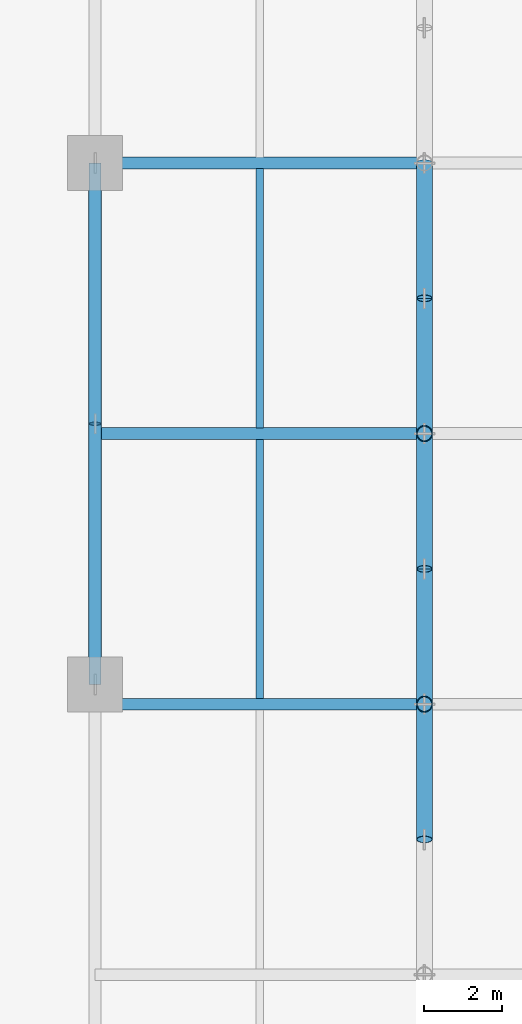
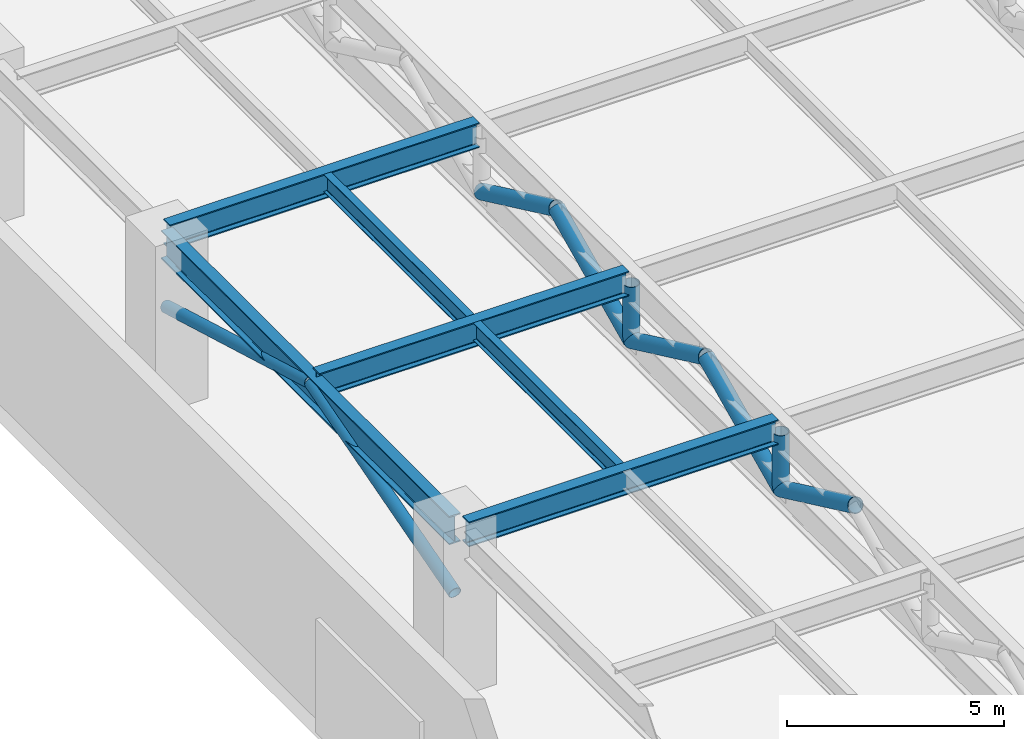
# One storey, part 8 of 40: 9 members, 6 beams.
"""IFC4 building model written with IfcOpenShell, lengths in metres."""

from ifc_helpers import new_model, si_unit, direction, frame, origin, origin_2d, place, context, subcontext, project, spatial, hollow_circle, i_section, extrude, material, material_profile, profile_set, type_object, element, save


model = new_model("IFC4")

# Units and contexts
model_context = context("Model", 3, precision=1e-05, world=origin(), true_north=direction((0.0, 1.0)))
body_context = subcontext(model_context, "Body", "Model", "MODEL_VIEW")
ifc_project = project(units=[si_unit("LENGTHUNIT", "METRE"), si_unit("AREAUNIT", "SQUARE_METRE"), si_unit("VOLUMEUNIT", "CUBIC_METRE"), si_unit("PLANEANGLEUNIT", "RADIAN"), si_unit("MASSUNIT", "GRAM", prefix="KILO")], contexts=[model_context])

# Site, building, storey
site_placement = place(None, origin())
site = spatial("IfcSite", under=ifc_project, at=site_placement, CompositionType="ELEMENT")
building_placement = place(site_placement, origin())
building = spatial("IfcBuilding", under=site, at=building_placement, Name="Narakoshi Arena Tower", CompositionType="ELEMENT")
storey_placement = place(building_placement, frame((0.0, 0.0, 21.60009765625)))
storey = spatial("IfcBuildingStorey", under=building, at=storey_placement, Name="L05", CompositionType="ELEMENT", Elevation=21.60009765625)

# Beams
ifc_material_1 = material(Name="Structural steel S355J2", Category="steel")
ifc_material_profile_1 = material_profile(ifc_material_1, i_section(OverallWidth=0.300048828125, OverallDepth=0.699951171875, WebThickness=0.01708984375, FlangeThickness=0.031982421875, FilletRadius=0.027099609375, at=origin_2d()), Name="HE700B")
ifc_profile_set_1 = profile_set([ifc_material_profile_1], Name="Structural steel S355J2")
beam_type_1 = type_object("IfcBeamType", Name="BM-PRI-700", PredefinedType="BEAM", material=ifc_profile_set_1)
for number, where, z_axis, x_axis, name in (
    (1, (3.60009765625, 34.199951171875, 4.429931640625), (1.0, 0.0, 0.0), (0.0, 1.0, 0.0), "L05 Arena Roof Transverse Girder 2-3"),
    (2, (3.60009765625, 41.10009765625, 4.429931640625), (1.0, 0.0, 0.0), (0.0, 1.0, 0.0), "L05 Arena Roof Transverse Girder 3-3"),
    (3, (3.60009765625, 48.0, 4.429931640625), (1.0, 0.0, 0.0), (0.0, 1.0, 0.0), "L05 Arena Roof Transverse Girder 4-3"),
):
    element("IfcBeam", number, at=place(storey_placement, frame(where, z_axis=z_axis, x_axis=x_axis)), inside=storey, type_object=beam_type_1, Name=name, PredefinedType="BEAM", context=body_context, shape_type="SweptSolid", body=[
        extrude(i_section(OverallWidth=0.300048828125, OverallDepth=0.699951171875, WebThickness=0.01708984375, FlangeThickness=0.031982421875, FilletRadius=0.027099609375, at=origin_2d()), origin(), (0.0, 0.0, 1.0), 8.2548828125),
    ])
ifc_material_2 = material(Name="Structural steel S460ML", Category="steel")
ifc_material_profile_2 = material_profile(ifc_material_2, i_section(OverallWidth=0.300048828125, OverallDepth=0.800048828125, WebThickness=0.017578125, FlangeThickness=0.032958984375, FilletRadius=0.030029296875, at=origin_2d()), Name="HE800B")
ifc_profile_set_2 = profile_set([ifc_material_profile_2], Name="Structural steel S460ML")
beam_type_2 = type_object("IfcBeamType", Name="BM-PRI-800", PredefinedType="BEAM", material=ifc_profile_set_2)
beam_1_placement = place(storey_placement, frame((3.60009765625, 34.699951171875, 4.199951171875), z_axis=(0.0, 1.0, 0.0), x_axis=(-1.0, 0.0, 0.0)))
element("IfcBeam", 4, at=beam_1_placement, inside=storey, type_object=beam_type_2, Name="L05 Podium Primary Y-Girder 069", PredefinedType="BEAM", context=body_context, shape_type="SweptSolid", body=[
    extrude(i_section(OverallWidth=0.300048828125, OverallDepth=0.800048828125, WebThickness=0.017578125, FlangeThickness=0.032958984375, FilletRadius=0.030029296875, at=origin_2d()), origin(), (0.0, 0.0, 1.0), 13.300048828125),
])
ifc_material_profile_3 = material_profile(ifc_material_1, i_section(OverallWidth=0.199951171875, OverallDepth=0.5, WebThickness=0.01025390625, FlangeThickness=0.01611328125, FilletRadius=0.02099609375, at=origin_2d()), Name="IPE500")
ifc_profile_set_3 = profile_set([ifc_material_profile_3], Name="Structural steel S355J2")
beam_type_3 = type_object("IfcBeamType", Name="BM-SEC-500", PredefinedType="JOIST", material=ifc_profile_set_3)
beam_2_placement = place(storey_placement, frame((7.800048828125, 34.344970703125, 4.52978515625), z_axis=(0.0, 1.0, 0.0), x_axis=(-1.0, 0.0, 0.0)))
element("IfcBeam", 5, at=beam_2_placement, inside=storey, type_object=beam_type_3, Name="L05 Arena Roof Secondary Joist 3-3", PredefinedType="JOIST", context=body_context, shape_type="SweptSolid", body=[
    extrude(i_section(OverallWidth=0.199951171875, OverallDepth=0.5, WebThickness=0.01025390625, FlangeThickness=0.01611328125, FilletRadius=0.02099609375, at=origin_2d()), origin(), (0.0, 0.0, 1.0), 6.610107421875),
])
beam_3_placement = place(storey_placement, frame((7.800048828125, 41.2451171875, 4.52978515625), z_axis=(0.0, 1.0, 0.0), x_axis=(-1.0, 0.0, 0.0)))
element("IfcBeam", 6, at=beam_3_placement, inside=storey, type_object=beam_type_3, Name="L05 Arena Roof Secondary Joist 3-4", PredefinedType="JOIST", context=body_context, shape_type="SweptSolid", body=[
    extrude(i_section(OverallWidth=0.199951171875, OverallDepth=0.5, WebThickness=0.01025390625, FlangeThickness=0.01611328125, FilletRadius=0.02099609375, at=origin_2d()), origin(), (0.0, 0.0, 1.0), 6.60986328125),
])

# Members
ifc_material_profile_4 = material_profile(ifc_material_2, hollow_circle(Radius=0.203125, WallThickness=0.01611328125, at=origin_2d()), Name="CHS406x16")
ifc_profile_set_4 = profile_set([ifc_material_profile_4], Name="Structural steel S460ML")
member_type_1 = type_object("IfcMemberType", Name="MEM-ARN-406", PredefinedType="CHORD", material=ifc_profile_set_4)
member_1_placement = place(storey_placement, frame((12.0, 30.75, 4.324951171875), z_axis=(0.0, 0.904667753866, -0.426117654075), x_axis=(-1.0, 0.0, 0.0)))
element("IfcMember", 7, at=member_1_placement, inside=storey, type_object=member_type_1, Name="L05 Arena Roof Truss 1 Web Diagonal 2B", PredefinedType="CHORD", context=body_context, shape_type="SweptSolid", body=[
    extrude(hollow_circle(Radius=0.203125, WallThickness=0.01611328125, at=origin_2d()), origin(), (0.0, 0.0, 1.0), 3.8134765625),
])
member_2_placement = place(storey_placement, frame((12.0, 34.199951171875, 2.699951171875), z_axis=(0.0, 0.0, 1.0), x_axis=(1.0, 0.0, 0.0)))
element("IfcMember", 8, at=member_2_placement, inside=storey, type_object=member_type_1, Name="L05 Arena Roof Truss 1 Web Post 3", PredefinedType="CHORD", context=body_context, shape_type="SweptSolid", body=[
    extrude(hollow_circle(Radius=0.203125, WallThickness=0.01611328125, at=origin_2d()), origin(), (0.0, 0.0, 1.0), 1.625),
])
member_3_placement = place(storey_placement, frame((12.0, 34.199951171875, 2.699951171875), z_axis=(0.0, 0.904667753866, 0.426117654075), x_axis=(-1.0, 0.0, 0.0)))
element("IfcMember", 9, at=member_3_placement, inside=storey, type_object=member_type_1, Name="L05 Arena Roof Truss 1 Web Diagonal 3A", PredefinedType="CHORD", context=body_context, shape_type="SweptSolid", body=[
    extrude(hollow_circle(Radius=0.203125, WallThickness=0.01611328125, at=origin_2d()), origin(), (0.0, 0.0, 1.0), 3.8134765625),
])
member_4_placement = place(storey_placement, frame((12.0, 37.64990234375, 4.324951171875), z_axis=(0.0, 0.904679377383, -0.426092975931), x_axis=(-1.0, 0.0, 0.0)))
element("IfcMember", 10, at=member_4_placement, inside=storey, type_object=member_type_1, Name="L05 Arena Roof Truss 1 Web Diagonal 3B", PredefinedType="CHORD", context=body_context, shape_type="SweptSolid", body=[
    extrude(hollow_circle(Radius=0.203125, WallThickness=0.01611328125, at=origin_2d()), origin(), (0.0, 0.0, 1.0), 3.813720703125),
])
member_5_placement = place(storey_placement, frame((12.0, 41.10009765625, 2.699951171875), z_axis=(0.0, 0.0, 1.0), x_axis=(1.0, 0.0, 0.0)))
element("IfcMember", 11, at=member_5_placement, inside=storey, type_object=member_type_1, Name="L05 Arena Roof Truss 1 Web Post 4", PredefinedType="CHORD", context=body_context, shape_type="SweptSolid", body=[
    extrude(hollow_circle(Radius=0.203125, WallThickness=0.01611328125, at=origin_2d()), origin(), (0.0, 0.0, 1.0), 1.625),
])
for number, where, z_axis, x_axis, name in (
    (12, (12.0, 41.10009765625, 2.699951171875), (0.0, 0.904667753866, 0.426117654075), (-1.0, 0.0, 0.0), "L05 Arena Roof Truss 1 Web Diagonal 4A"),
    (13, (12.0, 44.550048828125, 4.324951171875), (0.0, 0.904667753866, -0.426117654075), (-1.0, 0.0, 0.0), "L05 Arena Roof Truss 1 Web Diagonal 4B"),
):
    element("IfcMember", number, at=place(storey_placement, frame(where, z_axis=z_axis, x_axis=x_axis)), inside=storey, type_object=member_type_1, Name=name, PredefinedType="CHORD", context=body_context, shape_type="SweptSolid", body=[
        extrude(hollow_circle(Radius=0.203125, WallThickness=0.01611328125, at=origin_2d()), origin(), (0.0, 0.0, 1.0), 3.8134765625),
    ])
ifc_material_profile_5 = material_profile(ifc_material_1, hollow_circle(Radius=0.161865234375, WallThickness=0.012451171875, at=origin_2d()), Name="CHS323x12")
ifc_profile_set_5 = profile_set([ifc_material_profile_5], Name="Structural steel S355J2")
member_type_2 = type_object("IfcMemberType", Name="MEM-BR-323", PredefinedType="BRACE", material=ifc_profile_set_5)
member_6_placement = place(storey_placement, frame((3.60009765625, 34.699951171875, 2.39990234375), z_axis=(0.0, 0.961529275721, 0.274702478933), x_axis=(-1.0, 0.0, 0.0)))
element("IfcMember", 14, at=member_6_placement, inside=storey, type_object=member_type_2, Name="L05 Podium Lateral Brace 1A", PredefinedType="BRACE", context=body_context, shape_type="SweptSolid", body=[
    extrude(hollow_circle(Radius=0.161865234375, WallThickness=0.012451171875, at=origin_2d()), origin(), (0.0, 0.0, 1.0), 6.916259765625),
])
member_7_placement = place(storey_placement, frame((3.60009765625, 48.0, 2.39990234375), z_axis=(0.0, -0.961526611816, 0.274711803112), x_axis=(1.0, 0.0, 0.0)))
element("IfcMember", 15, at=member_7_placement, inside=storey, type_object=member_type_2, Name="L05 Podium Lateral Brace 1B", PredefinedType="BRACE", context=body_context, shape_type="SweptSolid", body=[
    extrude(hollow_circle(Radius=0.161865234375, WallThickness=0.012451171875, at=origin_2d()), origin(), (0.0, 0.0, 1.0), 6.916015625),
])

save(model, "model.ifc")
